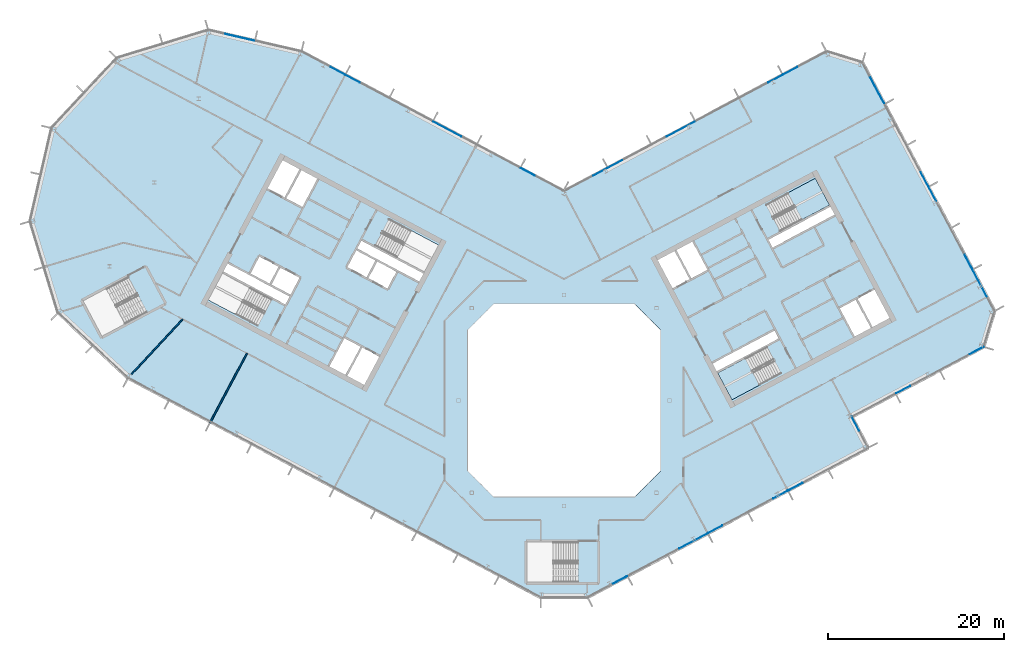
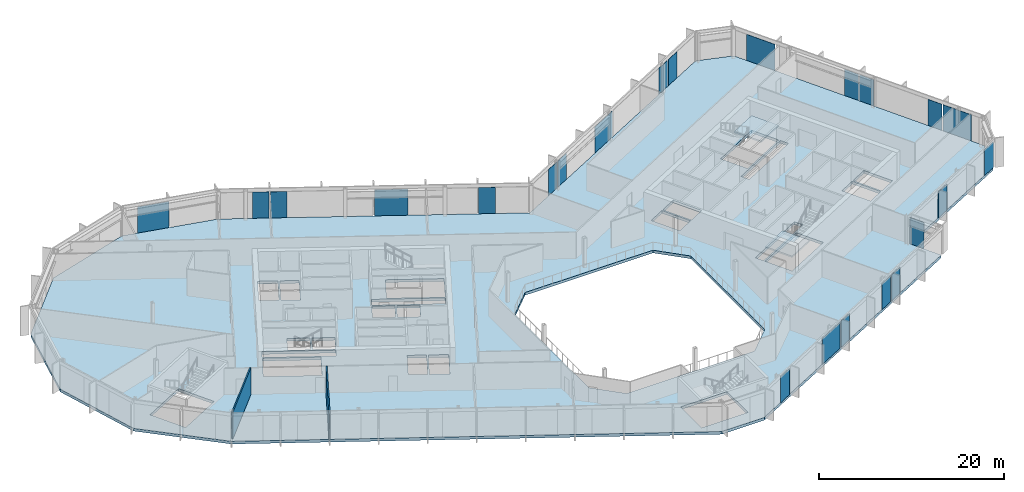
# One storey, part 12 of 27: 23 plates, 3 slabs, 2 walls, 9 elements without a shape of their own.
"""IFC4 building model written with IfcOpenShell, lengths in metres."""

from ifc_helpers import new_model, si_unit, direction, frame, frame_2d, origin, origin_2d, place, context, subcontext, project, spatial, polyline, rectangle, outline, extrude, material, layer, layer_set, type_object, element, aggregate, save


model = new_model("IFC4")

# Units and contexts
model_context = context("Model", 3, precision=1e-05, world=origin(), true_north=direction((0.0, 1.0)))
body_context = subcontext(model_context, "Body", "Model", "MODEL_VIEW")
ifc_project = project(units=[si_unit("LENGTHUNIT", "METRE"), si_unit("AREAUNIT", "SQUARE_METRE"), si_unit("VOLUMEUNIT", "CUBIC_METRE"), si_unit("PLANEANGLEUNIT", "RADIAN"), si_unit("MASSUNIT", "GRAM", prefix="KILO")], contexts=[model_context])

# Site, building, storey
site_placement = place(None, origin())
site = spatial("IfcSite", under=ifc_project, at=site_placement, CompositionType="ELEMENT")
building_placement = place(site_placement, origin())
building = spatial("IfcBuilding", under=site, at=building_placement, Name="Cormorant Relay Tower", CompositionType="ELEMENT")
storey_placement = place(building_placement, frame((0.0, 0.0, 232.5)))
storey = spatial("IfcBuildingStorey", under=building, at=storey_placement, Name="L51", CompositionType="ELEMENT", Elevation=232.5)

# Curtain wall, plates
ifc_material_1 = material(Name="Aluminium 6063-T6 anodised bronze", Category="aluminium")
ifc_layer_1 = layer(ifc_material_1, 0.199951171875)
ifc_layer_set_1 = layer_set([ifc_layer_1], Name="CW1 unitised bronze curtain wall with vertical fins")
curtain_wall_type = type_object("IfcCurtainWallType", Name="CW1 unitised bronze curtain wall with vertical fins", PredefinedType="NOTDEFINED", material=ifc_layer_set_1)
curtain_wall_1_placement = place(storey_placement, origin())
curtain_wall_1 = element("IfcCurtainWall", 1, at=curtain_wall_1_placement, inside=storey, type_object=curtain_wall_type, Name="CW1 curtain wall 2", PredefinedType="NOTDEFINED")
ifc_material_2 = material(Name="Tinted laminated glass", Category="glass")
ifc_layer_2 = layer(ifc_material_2, 0.0400390625)
ifc_layer_set_2 = layer_set([ifc_layer_2], Name="CW1 tinted vision panel 1800 module")
plate_type_1 = type_object("IfcPlateType", Name="CW1 tinted vision panel 1800 module", PredefinedType="CURTAIN_PANEL", material=ifc_layer_set_2)
plate_1_placement = place(storey_placement, frame((6.359130859375, -20.42529296875, 0.0), z_axis=(0.0, 0.0, 1.0), x_axis=(0.882947592859, 0.469471562786, 0.0)))
plate_1 = element("IfcPlate", 2, at=plate_1_placement, type_object=plate_type_1, Name="CW1 panel V01", PredefinedType="CURTAIN_PANEL", context=body_context, shape_type="SweptSolid", body=[
    extrude(rectangle(XDim=1.800048828125, YDim=0.0400390625, at=origin_2d()), origin(), (0.0, 0.0, 1.0), 3.449951171875),
])
plate_2_placement = place(storey_placement, frame((17.20458984375, -14.65869140625, 0.0), z_axis=(0.0, 0.0, 1.0), x_axis=(0.882947592859, 0.469471562786, 0.0)))
plate_2 = element("IfcPlate", 3, at=plate_2_placement, type_object=plate_type_1, Name="CW1 panel V04", PredefinedType="CURTAIN_PANEL", context=body_context, shape_type="SweptSolid", body=[
    extrude(rectangle(XDim=1.800048828125, YDim=0.0400390625, at=origin_2d()), origin(), (0.0, 0.0, 1.0), 3.449951171875),
])
plate_3_placement = place(storey_placement, frame((24.6064453125, -10.72314453125, 0.0), z_axis=(0.0, 0.0, 1.0), x_axis=(0.882947592859, 0.469471562786, 0.0)))
plate_3 = element("IfcPlate", 4, at=plate_3_placement, type_object=plate_type_1, Name="CW1 panel V06", PredefinedType="CURTAIN_PANEL", context=body_context, shape_type="SweptSolid", body=[
    extrude(rectangle(XDim=1.800048828125, YDim=0.0400390625, at=origin_2d()), origin(), (0.0, 0.0, 1.0), 3.449951171875),
])
plate_4_placement = place(storey_placement, frame((26.328125, -9.8076171875, 0.0), z_axis=(0.0, 0.0, 1.0), x_axis=(0.882947592859, 0.469471562786, 0.0)))
plate_4 = element("IfcPlate", 5, at=plate_4_placement, type_object=plate_type_1, Name="CW1 panel V07", PredefinedType="CURTAIN_PANEL", context=body_context, shape_type="SweptSolid", body=[
    extrude(rectangle(XDim=1.800048828125, YDim=0.0400390625, at=origin_2d()), origin(), (0.0, 0.0, 1.0), 3.449951171875),
])

# Curtain wall, plate
curtain_wall_2_placement = place(storey_placement, origin())
curtain_wall_2 = element("IfcCurtainWall", 6, at=curtain_wall_2_placement, inside=storey, type_object=curtain_wall_type, Name="CW1 curtain wall 3", PredefinedType="NOTDEFINED")
plate_5_placement = place(storey_placement, frame((33.143798828125, -2.650146484375, 0.0), z_axis=(0.0, 0.0, 1.0), x_axis=(-0.469471562786, 0.882947592859, 0.0)))
plate_5 = element("IfcPlate", 7, at=plate_5_placement, type_object=plate_type_1, Name="CW1 panel V01", PredefinedType="CURTAIN_PANEL", context=body_context, shape_type="SweptSolid", body=[
    extrude(rectangle(XDim=1.800048828125, YDim=0.0400390625, at=origin_2d()), origin(), (0.0, 0.0, 1.0), 3.449951171875),
])
aggregate(curtain_wall_2, [plate_5])

# Curtain wall, plates
curtain_wall_3_placement = place(storey_placement, origin())
curtain_wall_3 = element("IfcCurtainWall", 8, at=curtain_wall_3_placement, inside=storey, type_object=curtain_wall_type, Name="CW1 curtain wall 4", PredefinedType="NOTDEFINED")
plate_6_placement = place(storey_placement, frame((38.5771484375, 1.235595703125, 0.0), z_axis=(0.0, 0.0, 1.0), x_axis=(0.882947592859, 0.469471562786, 0.0)))
plate_6 = element("IfcPlate", 9, at=plate_6_placement, type_object=plate_type_1, Name="CW1 panel V01", PredefinedType="CURTAIN_PANEL", context=body_context, shape_type="SweptSolid", body=[
    extrude(rectangle(XDim=1.800048828125, YDim=0.0400390625, at=origin_2d()), origin(), (0.0, 0.0, 1.0), 3.449951171875),
])
plate_7_placement = place(storey_placement, frame((46.928466796875, 5.67578125, 0.0), z_axis=(0.0, 0.0, 1.0), x_axis=(0.882947592859, 0.469471562786, 0.0)))
plate_7 = element("IfcPlate", 10, at=plate_7_placement, type_object=plate_type_1, Name="CW1 panel V03", PredefinedType="CURTAIN_PANEL", context=body_context, shape_type="SweptSolid", body=[
    extrude(rectangle(XDim=1.800048828125, YDim=0.0400390625, at=origin_2d()), origin(), (0.0, 0.0, 1.0), 3.449951171875),
])
aggregate(curtain_wall_3, [plate_6, plate_7])

curtain_wall_4_placement = place(storey_placement, origin())
curtain_wall_4 = element("IfcCurtainWall", 11, at=curtain_wall_4_placement, inside=storey, type_object=curtain_wall_type, Name="CW1 curtain wall 6", PredefinedType="NOTDEFINED")
plate_8_placement = place(storey_placement, frame((46.01025390625, 15.752685546875, 0.0), z_axis=(0.0, 0.0, 1.0), x_axis=(-0.469471562786, 0.882947592859, 0.0)))
plate_8 = element("IfcPlate", 12, at=plate_8_placement, type_object=plate_type_1, Name="CW1 panel V02", PredefinedType="CURTAIN_PANEL", context=body_context, shape_type="SweptSolid", body=[
    extrude(rectangle(XDim=1.800048828125, YDim=0.0400390625, at=origin_2d()), origin(), (0.0, 0.0, 1.0), 3.449951171875),
])
plate_9_placement = place(storey_placement, frame((41.91796875, 23.448974609375, 0.0), z_axis=(0.0, 0.0, 1.0), x_axis=(-0.469471562786, 0.882947592859, 0.0)))
plate_9 = element("IfcPlate", 13, at=plate_9_placement, type_object=plate_type_1, Name="CW1 panel V04", PredefinedType="CURTAIN_PANEL", context=body_context, shape_type="SweptSolid", body=[
    extrude(rectangle(XDim=1.800048828125, YDim=0.0400390625, at=origin_2d()), origin(), (0.0, 0.0, 1.0), 3.449951171875),
])
plate_10_placement = place(storey_placement, frame((41.00244140625, 25.1708984375, 0.0), z_axis=(0.0, 0.0, 1.0), x_axis=(-0.469471562786, 0.882947592859, 0.0)))
plate_10 = element("IfcPlate", 14, at=plate_10_placement, type_object=plate_type_1, Name="CW1 panel V05", PredefinedType="CURTAIN_PANEL", context=body_context, shape_type="SweptSolid", body=[
    extrude(rectangle(XDim=1.800048828125, YDim=0.0400390625, at=origin_2d()), origin(), (0.0, 0.0, 1.0), 3.449951171875),
])

curtain_wall_5_placement = place(storey_placement, origin())
curtain_wall_5 = element("IfcCurtainWall", 15, at=curtain_wall_5_placement, inside=storey, type_object=curtain_wall_type, Name="CW1 curtain wall 8", PredefinedType="NOTDEFINED")
plate_11_placement = place(storey_placement, frame((25.746337890625, 37.49609375, 0.0), z_axis=(0.0, 0.0, 1.0), x_axis=(-0.882947592859, -0.469471562786, 0.0)))
plate_11 = element("IfcPlate", 16, at=plate_11_placement, type_object=plate_type_1, Name="CW1 panel V01", PredefinedType="CURTAIN_PANEL", context=body_context, shape_type="SweptSolid", body=[
    extrude(rectangle(XDim=1.800048828125, YDim=0.0400390625, at=origin_2d()), origin(), (0.0, 0.0, 1.0), 3.449951171875),
])
plate_12_placement = place(storey_placement, frame((24.0244140625, 36.580810546875, 0.0), z_axis=(0.0, 0.0, 1.0), x_axis=(-0.882947592859, -0.469471562786, 0.0)))
plate_12 = element("IfcPlate", 17, at=plate_12_placement, type_object=plate_type_1, Name="CW1 panel V02", PredefinedType="CURTAIN_PANEL", context=body_context, shape_type="SweptSolid", body=[
    extrude(rectangle(XDim=1.800048828125, YDim=0.0400390625, at=origin_2d()), origin(), (0.0, 0.0, 1.0), 3.449951171875),
])
plate_13_placement = place(storey_placement, frame((5.830322265625, 26.90673828125, 0.0), z_axis=(0.0, 0.0, 1.0), x_axis=(-0.882947592859, -0.469471562786, 0.0)))
plate_13 = element("IfcPlate", 18, at=plate_13_placement, type_object=plate_type_1, Name="CW1 panel V06", PredefinedType="CURTAIN_PANEL", context=body_context, shape_type="SweptSolid", body=[
    extrude(rectangle(XDim=1.800048828125, YDim=0.0400390625, at=origin_2d()), origin(), (0.0, 0.0, 1.0), 3.449951171875),
])
plate_14_placement = place(storey_placement, frame((4.108642578125, 25.9912109375, 0.0), z_axis=(0.0, 0.0, 1.0), x_axis=(-0.882947592859, -0.469471562786, 0.0)))
plate_14 = element("IfcPlate", 19, at=plate_14_placement, type_object=plate_type_1, Name="CW1 panel V07", PredefinedType="CURTAIN_PANEL", context=body_context, shape_type="SweptSolid", body=[
    extrude(rectangle(XDim=1.800048828125, YDim=0.0400390625, at=origin_2d()), origin(), (0.0, 0.0, 1.0), 3.449951171875),
])

curtain_wall_6_placement = place(storey_placement, origin())
curtain_wall_6 = element("IfcCurtainWall", 20, at=curtain_wall_6_placement, inside=storey, type_object=curtain_wall_type, Name="CW1 curtain wall 9", PredefinedType="NOTDEFINED")
plate_15_placement = place(storey_placement, frame((-4.108642578125, 25.9912109375, 0.0), z_axis=(0.0, 0.0, 1.0), x_axis=(-0.882947592859, 0.469471562786, 0.0)))
plate_15 = element("IfcPlate", 21, at=plate_15_placement, type_object=plate_type_1, Name="CW1 panel V01", PredefinedType="CURTAIN_PANEL", context=body_context, shape_type="SweptSolid", body=[
    extrude(rectangle(XDim=1.800048828125, YDim=0.0400390625, at=origin_2d()), origin(), (0.0, 0.0, 1.0), 3.449951171875),
])
plate_16_placement = place(storey_placement, frame((-24.0244140625, 36.580810546875, 0.0), z_axis=(0.0, 0.0, 1.0), x_axis=(-0.882947592859, 0.469471562786, 0.0)))
plate_16 = element("IfcPlate", 22, at=plate_16_placement, type_object=plate_type_1, Name="CW1 panel V05", PredefinedType="CURTAIN_PANEL", context=body_context, shape_type="SweptSolid", body=[
    extrude(rectangle(XDim=1.800048828125, YDim=0.0400390625, at=origin_2d()), origin(), (0.0, 0.0, 1.0), 3.449951171875),
])
plate_17_placement = place(storey_placement, frame((-25.746337890625, 37.49609375, 0.0), z_axis=(0.0, 0.0, 1.0), x_axis=(-0.882947592859, 0.469471562786, 0.0)))
plate_17 = element("IfcPlate", 23, at=plate_17_placement, type_object=plate_type_1, Name="CW1 panel V06", PredefinedType="CURTAIN_PANEL", context=body_context, shape_type="SweptSolid", body=[
    extrude(rectangle(XDim=1.800048828125, YDim=0.0400390625, at=origin_2d()), origin(), (0.0, 0.0, 1.0), 3.449951171875),
])

# Plate
ifc_material_3 = material(Name="Tinted laminated glass", Category="glass")
ifc_layer_3 = layer(ifc_material_3, 0.0400390625)
ifc_layer_set_3 = layer_set([ifc_layer_3], Name="CW1 tinted vision panel 3600 module")
plate_type_2 = type_object("IfcPlateType", Name="CW1 tinted vision panel 3600 module", PredefinedType="CURTAIN_PANEL", material=ifc_layer_set_3)
plate_18_placement = place(storey_placement, frame((14.68798828125, -15.996826171875, 0.0), z_axis=(0.0, 0.0, 1.0), x_axis=(0.882947592859, 0.469471562786, 0.0)))
plate_18 = element("IfcPlate", 24, at=plate_18_placement, type_object=plate_type_2, Name="CW1 panel V03", PredefinedType="CURTAIN_PANEL", context=body_context, shape_type="SweptSolid", body=[
    extrude(rectangle(XDim=3.60009765625, YDim=0.0400390625, at=origin_2d()), origin(), (0.0, 0.0, 1.0), 3.449951171875),
])

aggregate(curtain_wall_1, [plate_1, plate_18, plate_2, plate_3, plate_4])

plate_19_placement = place(storey_placement, frame((47.34814453125, 13.236328125, 0.0), z_axis=(0.0, 0.0, 1.0), x_axis=(-0.469471562786, 0.882947592859, 0.0)))
plate_19 = element("IfcPlate", 25, at=plate_19_placement, type_object=plate_type_2, Name="CW1 panel V01", PredefinedType="CURTAIN_PANEL", context=body_context, shape_type="SweptSolid", body=[
    extrude(rectangle(XDim=3.60009765625, YDim=0.0400390625, at=origin_2d()), origin(), (0.0, 0.0, 1.0), 3.449951171875),
])

plate_20_placement = place(storey_placement, frame((35.572265625, 35.383544921875, 0.0), z_axis=(0.0, 0.0, 1.0), x_axis=(-0.469471562786, 0.882947592859, 0.0)))
plate_20 = element("IfcPlate", 26, at=plate_20_placement, type_object=plate_type_2, Name="CW1 panel V07", PredefinedType="CURTAIN_PANEL", context=body_context, shape_type="SweptSolid", body=[
    extrude(rectangle(XDim=3.60009765625, YDim=0.0400390625, at=origin_2d()), origin(), (0.0, 0.0, 1.0), 3.449951171875),
])

aggregate(curtain_wall_4, [plate_19, plate_8, plate_9, plate_10, plate_20])

plate_21_placement = place(storey_placement, frame((13.27197265625, 30.86328125, 0.0), z_axis=(0.0, 0.0, 1.0), x_axis=(-0.882947592859, -0.469471562786, 0.0)))
plate_21 = element("IfcPlate", 27, at=plate_21_placement, type_object=plate_type_2, Name="CW1 panel V04", PredefinedType="CURTAIN_PANEL", context=body_context, shape_type="SweptSolid", body=[
    extrude(rectangle(XDim=3.60009765625, YDim=0.0400390625, at=origin_2d()), origin(), (0.0, 0.0, 1.0), 3.449951171875),
])

aggregate(curtain_wall_5, [plate_11, plate_12, plate_21, plate_13, plate_14])

plate_22_placement = place(storey_placement, frame((-13.27197265625, 30.86328125, 0.0), z_axis=(0.0, 0.0, 1.0), x_axis=(-0.882947592859, 0.469471562786, 0.0)))
plate_22 = element("IfcPlate", 28, at=plate_22_placement, type_object=plate_type_2, Name="CW1 panel V03", PredefinedType="CURTAIN_PANEL", context=body_context, shape_type="SweptSolid", body=[
    extrude(rectangle(XDim=3.60009765625, YDim=0.0400390625, at=origin_2d()), origin(), (0.0, 0.0, 1.0), 3.449951171875),
])

aggregate(curtain_wall_6, [plate_15, plate_22, plate_16, plate_17])

# Curtain wall, plate
curtain_wall_7_placement = place(storey_placement, origin())
curtain_wall_7 = element("IfcCurtainWall", 29, at=curtain_wall_7_placement, inside=storey, type_object=curtain_wall_type, Name="CW1 curtain wall 10", PredefinedType="NOTDEFINED")
plate_23_placement = place(storey_placement, frame((-36.9921875, 41.33203125, 0.0), z_axis=(0.0, 0.0, 1.0), x_axis=(-0.974370064785, 0.224951054344, 0.0)))
plate_23 = element("IfcPlate", 30, at=plate_23_placement, type_object=plate_type_2, Name="CW1 panel V01", PredefinedType="CURTAIN_PANEL", context=body_context, shape_type="SweptSolid", body=[
    extrude(rectangle(XDim=3.60009765625, YDim=0.0400390625, at=origin_2d()), origin(), (0.0, 0.0, 1.0), 3.449951171875),
])
aggregate(curtain_wall_7, [plate_23])

# Stair, slab
ifc_material_4 = material(Name="Concrete 40 MPa", Category="concrete")
stair_type = type_object("IfcStairType", Name="Exit stair 1500", PredefinedType="HALF_TURN_STAIR", material=ifc_material_4)
stair_1_placement = place(storey_placement, origin())
stair_1 = element("IfcStair", 31, at=stair_1_placement, inside=storey, type_object=stair_type, Name="L51 Stair", PredefinedType="HALF_TURN_STAIR")
ifc_material_5 = material(Name="Concrete 40 MPa", Category="concrete")
ifc_layer_4 = layer(ifc_material_5, 0.199951171875)
ifc_layer_set_4 = layer_set([ifc_layer_4], Name="Exit stair landing 200")
slab_type_1 = type_object("IfcSlabType", Name="Exit stair landing 200", PredefinedType="LANDING", material=ifc_layer_set_4)
slab_1_placement = place(storey_placement, frame((0.0, 0.0, 1.75)))
slab_1 = element("IfcSlab", 32, at=slab_1_placement, type_object=slab_type_1, Name="B1 landing 1", PredefinedType="LANDING", context=body_context, shape_type="SweptSolid", body=[
    extrude(outline(polyline([(20.614990234375, 4.78857421875), (17.48046875, 3.1220703125), (19.10009765625, 0.075927734375), (22.234619140625, 1.742431640625), (20.614990234375, 4.78857421875)])), origin(), (0.0, 0.0, 1.0), 0.199951171875),
])
aggregate(stair_1, [slab_1])

stair_2_placement = place(storey_placement, origin())
stair_2 = element("IfcStair", 33, at=stair_2_placement, inside=storey, type_object=stair_type, Name="L51 Stair", PredefinedType="HALF_TURN_STAIR")
slab_2_placement = place(storey_placement, frame((0.0, 0.0, 1.75)))
slab_2 = element("IfcSlab", 34, at=slab_2_placement, type_object=slab_type_1, Name="B2 landing 1", PredefinedType="LANDING", context=body_context, shape_type="SweptSolid", body=[
    extrude(outline(polyline([(27.064208984375, 20.562744140625), (30.19873046875, 22.2294921875), (28.5791015625, 25.275634765625), (25.444580078125, 23.60888671875), (27.064208984375, 20.562744140625)])), origin(), (0.0, 0.0, 1.0), 0.199951171875),
])
aggregate(stair_2, [slab_2])

# Slab
ifc_material_6 = material(Name="Concrete 40 MPa", Category="concrete")
ifc_layer_5 = layer(ifc_material_6, 0.360107421875)
ifc_layer_set_5 = layer_set([ifc_layer_5], Name="Flat plate 360")
slab_type_2 = type_object("IfcSlabType", Name="Flat plate 360", PredefinedType="FLOOR", material=ifc_layer_set_5)
slab_3_placement = place(storey_placement, frame((0.0, 0.0, -0.360107421875)))
element("IfcSlab", 35, at=slab_3_placement, inside=storey, type_object=slab_type_2, Name="Floor slab L51", PredefinedType="FLOOR", context=body_context, shape_type="SweptSolid", body=[
    extrude(outline(polyline([(-60.7197265625, 20.393310546875), (-58.2744140625, 30.985107421875), (-50.86083984375, 38.935302734375), (-40.465576171875, 42.11328125), (-29.873779296875, 39.668212890625), (0.0, 23.783935546875), (29.873779296875, 39.668212890625), (33.930908203125, 38.427734375), (48.9541015625, 10.17333984375), (47.713623046875, 6.1162109375), (32.70361328125, -1.864990234375), (34.581298828125, -5.396728515625), (2.648681640625, -22.37548828125), (-2.648681640625, -22.37548828125), (-49.591552734375, 2.584228515625), (-57.541748046875, 9.997802734375), (-60.7197265625, 20.393310546875)]), holes=[polyline([(11.0, -8.0), (11.0, 8.0), (8.0, 11.0), (-8.0, 11.0), (-11.0, 8.0), (-11.0, -8.0), (-8.0, -11.0), (8.0, -11.0), (11.0, -8.0)]), polyline([(-22.95458984375, 6.03271484375), (-24.668212890625, 2.81005859375), (-22.725830078125, 1.777099609375), (-21.01220703125, 5.0), (-23.04296875, 6.07958984375), (-22.95458984375, 6.03271484375)]), polyline([(-24.985595703125, 7.112548828125), (-26.69921875, 3.889892578125), (-24.844970703125, 2.90380859375), (-23.13134765625, 6.126708984375), (-23.04296875, 6.07958984375), (-24.985595703125, 7.112548828125)]), polyline([(-54.69970703125, 11.330810546875), (-52.563720703125, 7.3134765625), (-47.442626953125, 10.036376953125), (-49.57861328125, 14.0537109375), (-54.69970703125, 11.330810546875)]), polyline([(-33.240966796875, 11.502197265625), (-38.847900390625, 14.483154296875), (-40.46728515625, 11.43701171875), (-34.860595703125, 8.455810546875), (-33.240966796875, 11.502197265625)]), polyline([(-38.260986328125, 15.5869140625), (-38.75390625, 14.659912109375), (-31.690185546875, 10.904052734375), (-31.197265625, 11.8310546875), (-38.260986328125, 15.5869140625)]), polyline([(-31.103515625, 12.0078125), (-30.070556640625, 13.9501953125), (-32.278076171875, 15.123779296875), (-33.310791015625, 13.181396484375), (-31.103515625, 12.0078125)]), polyline([(-22.2880859375, 13.889404296875), (-20.080810546875, 12.7158203125), (-19.048095703125, 14.658203125), (-21.25537109375, 15.831787109375), (-22.2880859375, 13.889404296875)]), polyline([(-34.661865234375, 16.3916015625), (-35.69482421875, 14.448974609375), (-33.4873046875, 13.275390625), (-32.45458984375, 15.2177734375), (-34.661865234375, 16.3916015625)]), polyline([(-22.46484375, 13.9833984375), (-21.431884765625, 15.92578125), (-23.639404296875, 17.099609375), (-24.672119140625, 15.156982421875), (-22.46484375, 13.9833984375)]), polyline([(-31.611572265625, 22.980712890625), (-29.75732421875, 21.99462890625), (-28.043701171875, 25.217529296875), (-29.89794921875, 26.203369140625), (-31.611572265625, 22.980712890625)]), polyline([(-32.01708984375, 27.330078125), (-33.73046875, 24.107421875), (-31.7880859375, 23.074462890625), (-30.074462890625, 26.29736328125), (-32.01708984375, 27.330078125)]), polyline([(-4.199951171875, -16.125), (-4.199951171875, -20.675048828125), (1.60009765625, -20.675048828125), (1.60009765625, -16.125), (-4.199951171875, -16.125)]), polyline([(17.48046875, 3.1220703125), (19.10009765625, 0.07568359375), (24.706787109375, 3.056884765625), (23.087158203125, 6.10302734375), (17.48046875, 3.1220703125)]), polyline([(17.386474609375, 3.298583984375), (24.4501953125, 7.054443359375), (23.957275390625, 7.9814453125), (16.8935546875, 4.2255859375), (17.386474609375, 3.298583984375)]), polyline([(33.197021484375, 11.478515625), (31.3427734375, 10.49267578125), (33.056396484375, 7.27001953125), (34.910400390625, 8.255859375), (33.197021484375, 11.478515625)]), polyline([(33.37353515625, 11.572509765625), (35.087158203125, 8.349609375), (37.029541015625, 9.382568359375), (35.31591796875, 12.605224609375), (33.37353515625, 11.572509765625)]), polyline([(14.3056640625, 13.779052734375), (12.592041015625, 17.001708984375), (10.649658203125, 15.968994140625), (12.36328125, 12.74609375), (14.39404296875, 13.825927734375), (14.3056640625, 13.779052734375)]), polyline([(16.33642578125, 14.85888671875), (14.622802734375, 18.08154296875), (12.768798828125, 17.095703125), (14.482421875, 13.872802734375), (14.39404296875, 13.825927734375), (16.33642578125, 14.85888671875)]), polyline([(-16.481689453125, 13.520263671875), (-15.989013671875, 14.447509765625), (-23.052490234375, 18.203125), (-23.54541015625, 17.276123046875), (-16.481689453125, 13.520263671875)]), polyline([(-15.89501953125, 14.6240234375), (-14.275390625, 17.670166015625), (-19.882080078125, 20.6513671875), (-21.501708984375, 17.605224609375), (-15.89501953125, 14.6240234375)]), polyline([(30.78564453125, 21.125732421875), (30.29248046875, 22.052978515625), (23.22900390625, 18.297119140625), (23.721923828125, 17.3701171875), (30.78564453125, 21.125732421875)]), polyline([(24.592041015625, 19.248291015625), (30.19873046875, 22.2294921875), (28.5791015625, 25.275634765625), (22.972412109375, 22.29443359375), (24.592041015625, 19.248291015625)])]), origin(), (0.0, 0.0, 1.0), 0.360107421875),
])

# Walls
ifc_material_7 = material(Name="Gypsum board partition")
ifc_layer_6 = layer(ifc_material_7, 0.14990234375)
ifc_layer_set_6 = layer_set([ifc_layer_6], Name="Tenant partition 150")
wall_type = type_object("IfcWallType", Name="Tenant partition 150", PredefinedType="PARTITIONING", material=ifc_layer_set_6)
wall_1_placement = place(storey_placement, frame((-43.3779296875, 9.2470703125, 0.0), z_axis=(0.0, 0.0, 1.0), x_axis=(-0.681988780008, -0.731362635047, 0.0)))
element("IfcWall", 36, at=wall_1_placement, inside=storey, type_object=wall_type, Name="wall/L51/part/009", PredefinedType="PARTITIONING", context=body_context, shape_type="SweptSolid", body=[
    extrude(rectangle(XDim=8.60888671875, YDim=0.14990234375, at=frame_2d((4.304443359375, 0.0))), origin(), (0.0, 0.0, 1.0), 3.5400390625),
])
wall_2_placement = place(storey_placement, frame((-36.072021484375, 5.362060546875, 0.0), z_axis=(0.0, 0.0, 1.0), x_axis=(-0.469481145989, -0.882942497313, 0.0)))
element("IfcWall", 37, at=wall_2_placement, inside=storey, type_object=wall_type, Name="wall/L51/part/010", PredefinedType="PARTITIONING", context=body_context, shape_type="SweptSolid", body=[
    extrude(rectangle(XDim=8.99951171875, YDim=0.14990234375, at=frame_2d((4.499755859375, 0.0))), origin(), (0.0, 0.0, 1.0), 3.5400390625),
])

save(model, "model.ifc")
